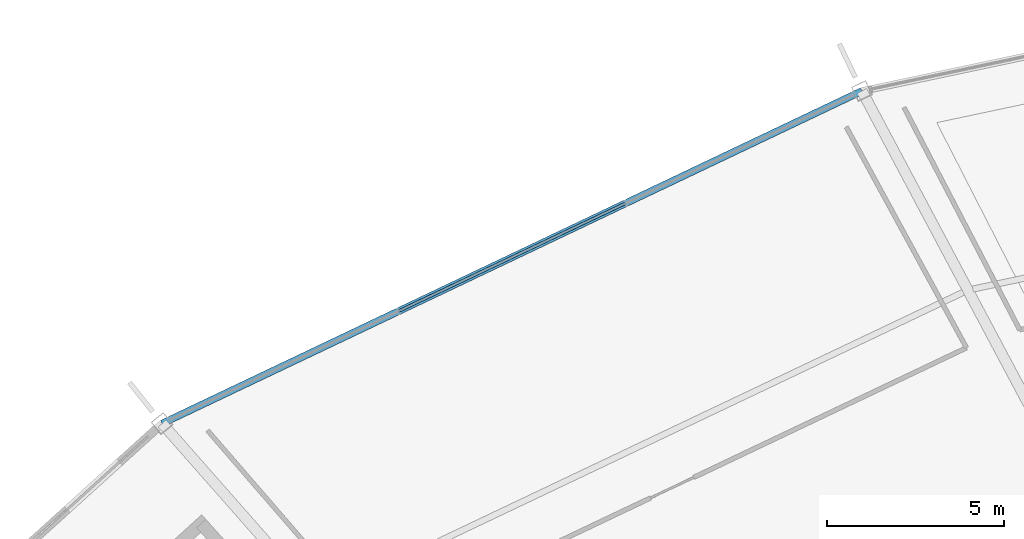
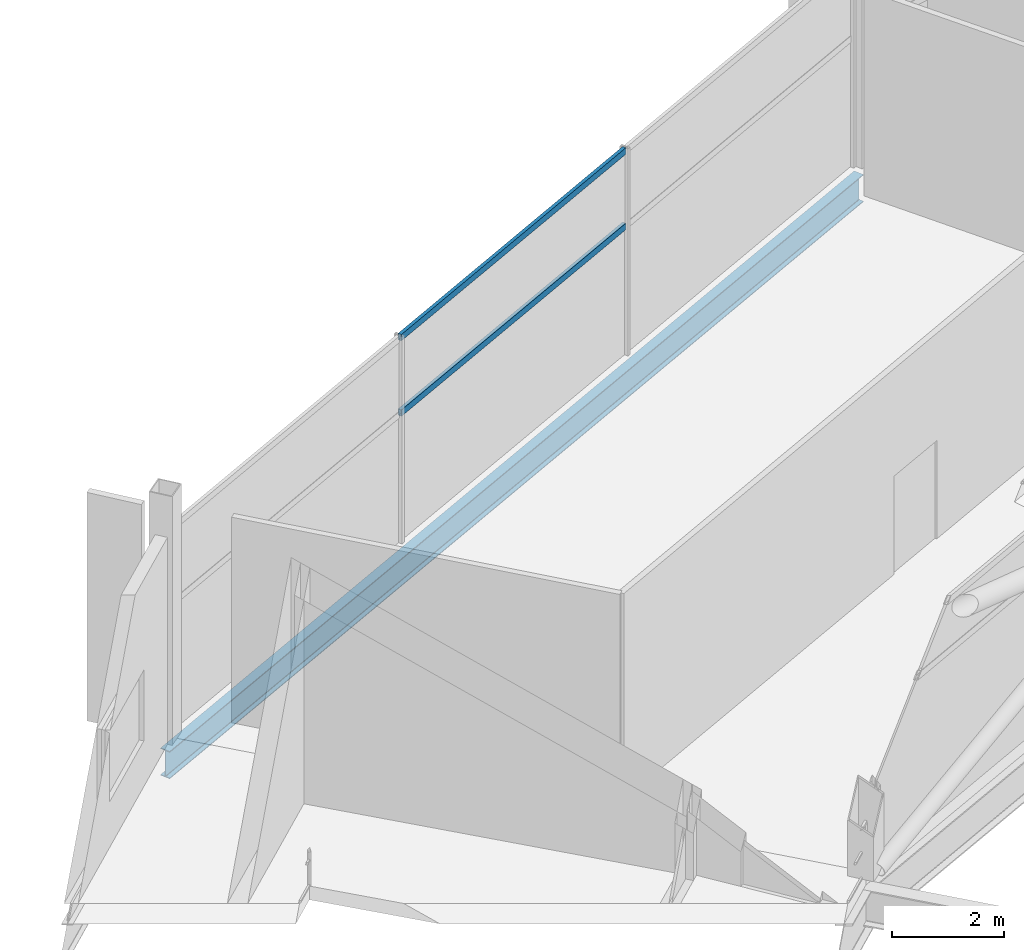
# One storey, part 92 of 186: 2 members, 1 beam, 1 element without a shape of its own.
"""IFC4 building model written with IfcOpenShell, lengths in metres."""

from ifc_helpers import new_model, si_unit, direction, frame, origin, origin_2d, place, context, subcontext, project, spatial, hollow_rectangle, i_section, extrude, material, layer, layer_set, material_profile, profile_set, type_object, element, aggregate, save


model = new_model("IFC4")

# Units and contexts
model_context = context("Model", 3, precision=1e-05, world=origin(), true_north=direction((0.0, 1.0)))
body_context = subcontext(model_context, "Body", "Model", "MODEL_VIEW")
ifc_project = project(units=[si_unit("LENGTHUNIT", "METRE"), si_unit("AREAUNIT", "SQUARE_METRE"), si_unit("VOLUMEUNIT", "CUBIC_METRE"), si_unit("PLANEANGLEUNIT", "RADIAN"), si_unit("MASSUNIT", "GRAM", prefix="KILO")], contexts=[model_context])

# Site, building, storey
site_placement = place(None, origin())
site = spatial("IfcSite", under=ifc_project, at=site_placement, CompositionType="ELEMENT")
building_placement = place(site_placement, origin())
building = spatial("IfcBuilding", under=site, at=building_placement, Name="Kazemori Nagisa Stadium", CompositionType="ELEMENT")
storey_placement = place(building_placement, frame((0.0, 0.0, 20.39990234375)))
storey = spatial("IfcBuildingStorey", under=building, at=storey_placement, Name="L04", CompositionType="ELEMENT", Elevation=20.39990234375)

# Beam
ifc_material_1 = material(Name="Steel SN490B", Category="steel")
ifc_material_profile_1 = material_profile(ifc_material_1, i_section(OverallWidth=0.199951171875, OverallDepth=0.60009765625, WebThickness=0.010986328125, FlangeThickness=0.01708984375, FilletRadius=0.012939453125, at=origin_2d()), Name="H-600x200x11x17")
ifc_profile_set_1 = profile_set([ifc_material_profile_1], Name="Steel SN490B")
beam_type = type_object("IfcBeamType", Name="Beam_BS-H600", PredefinedType="SPANDREL", material=ifc_profile_set_1)
beam_placement = place(storey_placement, frame((80.1953125, 182.46435546875, -0.599853515625), z_axis=(-0.903215644095, -0.429187022475, 0.0), x_axis=(0.429187022475, -0.903215644095, 0.0)))
element("IfcBeam", 1, at=beam_placement, inside=storey, type_object=beam_type, Name="Ring girder BS-H600 L04 R3-10", PredefinedType="SPANDREL", context=body_context, shape_type="SweptSolid", body=[
    extrude(i_section(OverallWidth=0.199951171875, OverallDepth=0.60009765625, WebThickness=0.010986328125, FlangeThickness=0.01708984375, FilletRadius=0.012939453125, at=origin_2d()), origin(), (0.0, 0.0, 1.0), 21.9140625),
])

# Curtain wall, members
ifc_material_2 = material(Name="Anodised aluminium 6063-T5", Category="aluminium")
ifc_layer = layer(ifc_material_2, 0.179931640625, Name="Anodised aluminium 6063-T5", Category="aluminium")
ifc_layer_set = layer_set([ifc_layer], Name="Anodised aluminium 6063-T5")
curtain_wall_type = type_object("IfcCurtainWallType", Name="CW_L04R3_107", PredefinedType="USERDEFINED", material=ifc_layer_set)
curtain_wall_placement = place(storey_placement, origin())
curtain_wall = element("IfcCurtainWall", 2, at=curtain_wall_placement, inside=storey, type_object=curtain_wall_type, Name="Unitised curtain wall CW-L04R3-107 L04", ObjectType="UNITISED CURTAIN WALL", PredefinedType="USERDEFINED")
ifc_material_3 = material(Name="Aluminium 6063-T5 anodised", Category="aluminium")
ifc_material_profile_2 = material_profile(ifc_material_3, hollow_rectangle(XDim=0.070068359375, YDim=0.139892578125, WallThickness=0.00390625, at=origin_2d()), Name="ALU-TRAN-70x140x4")
ifc_profile_set_2 = profile_set([ifc_material_profile_2], Name="Aluminium 6063-T5 anodised")
member_type = type_object("IfcMemberType", Name="Transom_T01", PredefinedType="USERDEFINED", material=ifc_profile_set_2)
member_1_placement = place(storey_placement, frame((73.502685546875, 179.2841796875, 2.80859375), z_axis=(-0.903201805793, -0.429216143699, 0.0), x_axis=(0.429216143699, -0.903201805793, 0.0)))
member_1 = element("IfcMember", 3, at=member_1_placement, type_object=member_type, Name="Curtain wall transom CW-L04R3-107-T2-mid", ObjectType="TRANSOM", PredefinedType="USERDEFINED", context=body_context, shape_type="SweptSolid", body=[
    extrude(hollow_rectangle(XDim=0.070068359375, YDim=0.139892578125, WallThickness=0.00390625, at=origin_2d()), origin(), (0.0, 0.0, 1.0), 7.0947265625),
])
member_2_placement = place(storey_placement, frame((73.502685546875, 179.2841796875, 4.460205078125), z_axis=(-0.903201805793, -0.429216143699, 0.0), x_axis=(0.429216143699, -0.903201805793, 0.0)))
member_2 = element("IfcMember", 4, at=member_2_placement, type_object=member_type, Name="Curtain wall transom CW-L04R3-107-T2-head", ObjectType="TRANSOM", PredefinedType="USERDEFINED", context=body_context, shape_type="SweptSolid", body=[
    extrude(hollow_rectangle(XDim=0.070068359375, YDim=0.139892578125, WallThickness=0.00390625, at=origin_2d()), origin(), (0.0, 0.0, 1.0), 7.0947265625),
])
aggregate(curtain_wall, [member_1, member_2])

save(model, "model.ifc")
